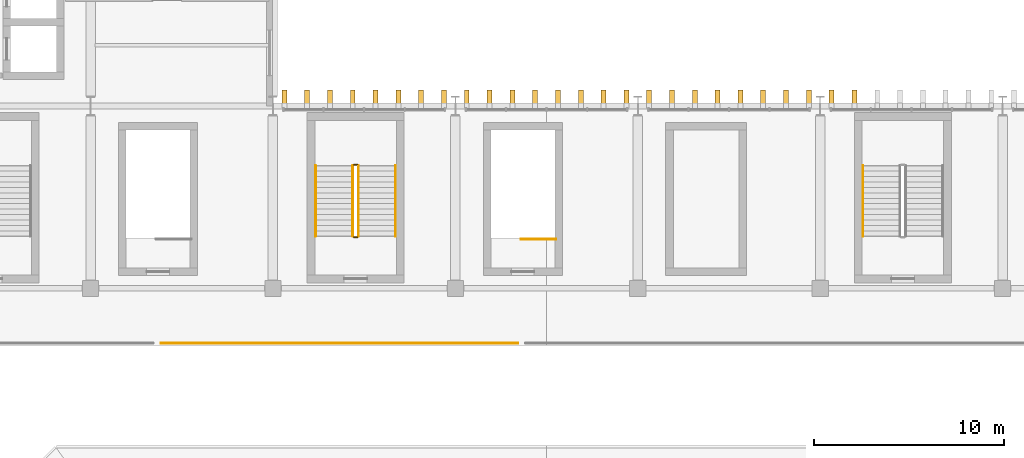
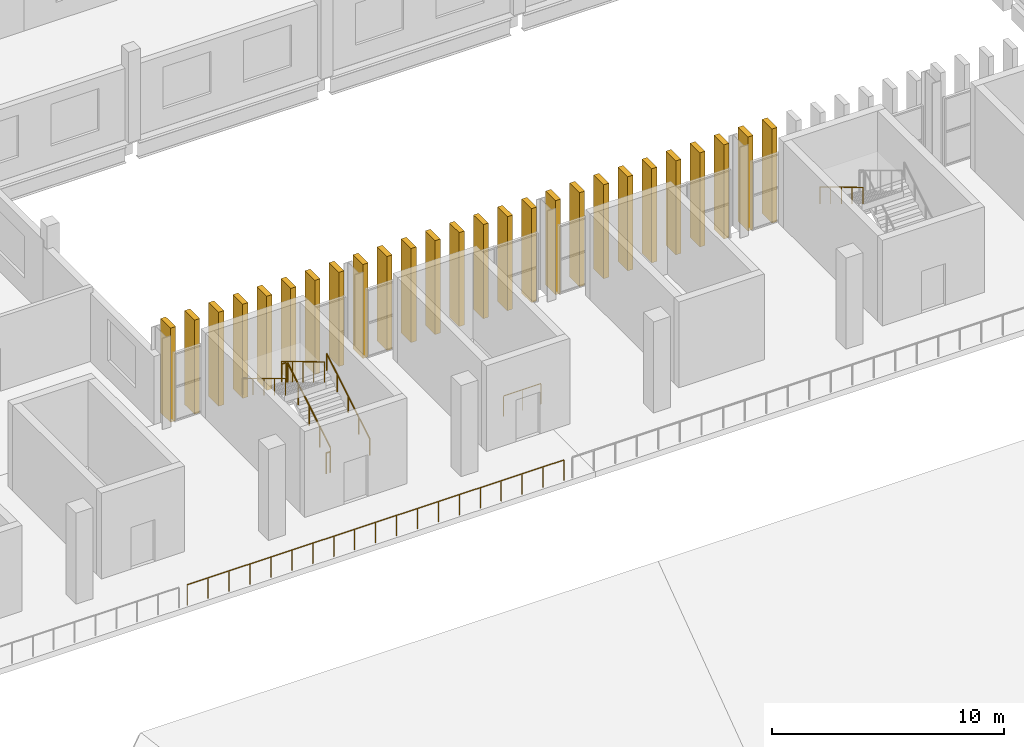
# One storey, part 89 of 99: 26 coverings, 9 railings.
"""IFC4 building model written with IfcOpenShell, lengths in metres."""

from ifc_helpers import new_model, si_unit, direction, frame, origin, origin_2d, place, context, subcontext, project, spatial, rectangle, circle, extrude, material, material_profile, profile_set, type_object, element, save


model = new_model("IFC4")

# Units and contexts
model_context = context("Model", 3, precision=1e-05, world=origin(), true_north=direction((0.0, 1.0)))
body_context = subcontext(model_context, "Body", "Model", "MODEL_VIEW")
ifc_project = project(units=[si_unit("LENGTHUNIT", "METRE"), si_unit("AREAUNIT", "SQUARE_METRE"), si_unit("VOLUMEUNIT", "CUBIC_METRE"), si_unit("PLANEANGLEUNIT", "RADIAN"), si_unit("MASSUNIT", "GRAM", prefix="KILO")], contexts=[model_context])

# Site, building, storey
site_placement = place(None, origin())
site = spatial("IfcSite", under=ifc_project, at=site_placement, CompositionType="ELEMENT")
building_placement = place(site_placement, origin())
building = spatial("IfcBuilding", under=site, at=building_placement, Name="Caelomonte Colonnade Arena", CompositionType="ELEMENT")
storey_placement = place(building_placement, frame((0.0, 0.0, 4.800048828125)))
storey = spatial("IfcBuildingStorey", under=building, at=storey_placement, Name="L01", CompositionType="ELEMENT", Elevation=4.800048828125)

# Coverings
ifc_material_1 = material(Name="Precast travertine cladding", Category="masonry")
ifc_material_profile = material_profile(ifc_material_1, rectangle(XDim=0.260009765625, YDim=0.85009765625, at=origin_2d()), Name="FIN260X850")
ifc_profile_set = profile_set([ifc_material_profile], Name="Precast travertine cladding")
covering_type = type_object("IfcCoveringType", Name="ENV-FN-SHAFT", PredefinedType="CLADDING", material=ifc_profile_set)
for number, where, z_axis, x_axis, name in (
    (1, (126.60009765625, 115.62109375, -0.16015625), (0.0, 0.0, 1.0), (1.0, 0.0, 0.0), "V1 L01 classical travertine vertical fin 106"),
    (2, (125.39990234375, 115.62109375, -0.16015625), (0.0, 0.0, 1.0), (1.0, 0.0, 0.0), "V1 L01 classical travertine vertical fin 107"),
    (3, (124.199951171875, 115.62109375, -0.16015625), (0.0, 0.0, 1.0), (1.0, 0.0, 0.0), "V1 L01 classical travertine vertical fin 108"),
    (4, (123.0, 115.62109375, -0.16015625), (0.0, 0.0, 1.0), (1.0, 0.0, 0.0), "V1 L01 classical travertine vertical fin 109"),
    (5, (121.800048828125, 115.62109375, -0.16015625), (0.0, 0.0, 1.0), (1.0, 0.0, 0.0), "V1 L01 classical travertine vertical fin 110"),
    (6, (120.60009765625, 115.62109375, -0.16015625), (0.0, 0.0, 1.0), (1.0, 0.0, 0.0), "V1 L01 classical travertine vertical fin 111"),
    (7, (119.39990234375, 115.62109375, -0.16015625), (0.0, 0.0, 1.0), (1.0, 0.0, 0.0), "V1 L01 classical travertine vertical fin 112"),
    (8, (118.199951171875, 115.62109375, -0.16015625), (0.0, 0.0, 1.0), (1.0, 0.0, 0.0), "V1 L01 classical travertine vertical fin 113"),
    (9, (117.0, 115.62109375, -0.16015625), (0.0, 0.0, 1.0), (1.0, 0.0, 0.0), "V1 L01 classical travertine vertical fin 114"),
    (10, (115.800048828125, 115.62109375, -0.16015625), (0.0, 0.0, 1.0), (1.0, 0.0, 0.0), "V1 L01 classical travertine vertical fin 115"),
    (11, (114.60009765625, 115.62109375, -0.16015625), (0.0, 0.0, 1.0), (1.0, 0.0, 0.0), "V1 L01 classical travertine vertical fin 116"),
    (12, (113.39990234375, 115.62109375, -0.16015625), (0.0, 0.0, 1.0), (1.0, 0.0, 0.0), "V1 L01 classical travertine vertical fin 117"),
    (13, (112.199951171875, 115.62109375, -0.16015625), (0.0, 0.0, 1.0), (1.0, 0.0, 0.0), "V1 L01 classical travertine vertical fin 118"),
    (14, (111.0, 115.62109375, -0.16015625), (0.0, 0.0, 1.0), (1.0, 0.0, 0.0), "V1 L01 classical travertine vertical fin 119"),
    (15, (109.800048828125, 115.62109375, -0.16015625), (0.0, 0.0, 1.0), (1.0, 0.0, 0.0), "V1 L01 classical travertine vertical fin 120"),
    (16, (108.60009765625, 115.62109375, -0.16015625), (0.0, 0.0, 1.0), (1.0, 0.0, 0.0), "V1 L01 classical travertine vertical fin 121"),
    (17, (107.39990234375, 115.62109375, -0.16015625), (0.0, 0.0, 1.0), (1.0, 0.0, 0.0), "V1 L01 classical travertine vertical fin 122"),
    (18, (106.199951171875, 115.62109375, -0.16015625), (0.0, 0.0, 1.0), (1.0, 0.0, 0.0), "V1 L01 classical travertine vertical fin 123"),
    (19, (105.0, 115.62109375, -0.16015625), (0.0, 0.0, 1.0), (1.0, 0.0, 0.0), "V1 L01 classical travertine vertical fin 124"),
    (20, (103.800048828125, 115.62109375, -0.16015625), (0.0, 0.0, 1.0), (1.0, 0.0, 0.0), "V1 L01 classical travertine vertical fin 125"),
    (21, (102.60009765625, 115.62109375, -0.16015625), (0.0, 0.0, 1.0), (1.0, 0.0, 0.0), "V1 L01 classical travertine vertical fin 126"),
    (22, (101.39990234375, 115.62109375, -0.16015625), (0.0, 0.0, 1.0), (1.0, 0.0, 0.0), "V1 L01 classical travertine vertical fin 127"),
    (23, (100.199951171875, 115.62109375, -0.16015625), (0.0, 0.0, 1.0), (1.0, 0.0, 0.0), "V1 L01 classical travertine vertical fin 128"),
    (24, (99.0, 115.62109375, -0.16015625), (0.0, 0.0, 1.0), (1.0, 0.0, 0.0), "V1 L01 classical travertine vertical fin 129"),
    (25, (97.800048828125, 115.62109375, -0.16015625), (0.0, 0.0, 1.0), (1.0, 0.0, 0.0), "V1 L01 classical travertine vertical fin 130"),
    (26, (96.60009765625, 115.62109375, -0.16015625), (0.0, 0.0, 1.0), (1.0, 0.0, 0.0), "V1 L01 classical travertine vertical fin 131"),
):
    element("IfcCovering", number, at=place(storey_placement, frame(where, z_axis=z_axis, x_axis=x_axis)), inside=storey, type_object=covering_type, Name=name, PredefinedType="CLADDING", context=body_context, shape_type="SweptSolid", body=[
        extrude(rectangle(XDim=0.260009765625, YDim=0.85009765625, at=origin_2d()), origin(), (0.0, 0.0, 1.0), 4.960205078125),
    ])

# Railings
ifc_material_2 = material(Name="Painted galvanized steel handrail and posts", Category="steel")
railing_type_1 = type_object("IfcRailingType", Name="ENV-RL-GRD1", PredefinedType="GUARDRAIL", material=ifc_material_2)
railing_1_placement = place(storey_placement, frame((108.89306640625, 102.719970703125, 0.0)))
element("IfcRailing", 27, at=railing_1_placement, inside=storey, type_object=railing_type_1, Name="L01 lower concourse bowl guard 2", PredefinedType="GUARDRAIL", context=body_context, shape_type="SweptSolid", body=[
    extrude(circle(Radius=0.02392578125, at=origin_2d()), frame((0.0, 0.0, 1.076171875), z_axis=(-1.0, 0.0, 0.0), x_axis=(0.0, -1.0, 0.0)), (0.0, 0.0, 1.0), 18.7861328125),
    extrude(circle(Radius=0.02099609375, at=origin_2d()), origin(), (0.0, 0.0, 1.0), 1.048095703125),
    extrude(circle(Radius=0.02099609375, at=origin_2d()), frame((-1.043701171875, 0.0, 0.0)), (0.0, 0.0, 1.0), 1.048095703125),
    extrude(circle(Radius=0.02099609375, at=origin_2d()), frame((-2.08740234375, 0.0, 0.0)), (0.0, 0.0, 1.0), 1.048095703125),
    extrude(circle(Radius=0.02099609375, at=origin_2d()), frame((-3.131103515625, 0.0, 0.0)), (0.0, 0.0, 1.0), 1.048095703125),
    extrude(circle(Radius=0.02099609375, at=origin_2d()), frame((-4.1748046875, 0.0, 0.0)), (0.0, 0.0, 1.0), 1.048095703125),
    extrude(circle(Radius=0.02099609375, at=origin_2d()), frame((-5.21826171875, 0.0, 0.0)), (0.0, 0.0, 1.0), 1.048095703125),
    extrude(circle(Radius=0.02099609375, at=origin_2d()), frame((-6.261962890625, 0.0, 0.0)), (0.0, 0.0, 1.0), 1.048095703125),
    extrude(circle(Radius=0.02099609375, at=origin_2d()), frame((-7.3056640625, 0.0, 0.0)), (0.0, 0.0, 1.0), 1.048095703125),
    extrude(circle(Radius=0.02099609375, at=origin_2d()), frame((-8.349365234375, 0.0, 0.0)), (0.0, 0.0, 1.0), 1.048095703125),
    extrude(circle(Radius=0.02099609375, at=origin_2d()), frame((-9.39306640625, 0.0, 0.0)), (0.0, 0.0, 1.0), 1.048095703125),
    extrude(circle(Radius=0.02099609375, at=origin_2d()), frame((-10.436767578125, 0.0, 0.0)), (0.0, 0.0, 1.0), 1.048095703125),
    extrude(circle(Radius=0.02099609375, at=origin_2d()), frame((-11.48046875, 0.0, 0.0)), (0.0, 0.0, 1.0), 1.048095703125),
    extrude(circle(Radius=0.02099609375, at=origin_2d()), frame((-12.524169921875, 0.0, 0.0)), (0.0, 0.0, 1.0), 1.048095703125),
    extrude(circle(Radius=0.02099609375, at=origin_2d()), frame((-13.56787109375, 0.0, 0.0)), (0.0, 0.0, 1.0), 1.048095703125),
    extrude(circle(Radius=0.02099609375, at=origin_2d()), frame((-14.611328125, 0.0, 0.0)), (0.0, 0.0, 1.0), 1.048095703125),
    extrude(circle(Radius=0.02099609375, at=origin_2d()), frame((-15.655029296875, 0.0, 0.0)), (0.0, 0.0, 1.0), 1.048095703125),
    extrude(circle(Radius=0.02099609375, at=origin_2d()), frame((-16.69873046875, 0.0, 0.0)), (0.0, 0.0, 1.0), 1.048095703125),
    extrude(circle(Radius=0.02099609375, at=origin_2d()), frame((-17.742431640625, 0.0, 0.0)), (0.0, 0.0, 1.0), 1.048095703125),
    extrude(circle(Radius=0.02099609375, at=origin_2d()), frame((-18.7861328125, 0.0, 0.0)), (0.0, 0.0, 1.0), 1.048095703125),
])
ifc_material_3 = material(Name="Painted galvanized steel stair guard", Category="steel")
railing_type_2 = type_object("IfcRailingType", Name="INT-RL-GRD", PredefinedType="GUARDRAIL", material=ifc_material_3)
railing_2_placement = place(storey_placement, frame((100.5, 108.35009765625, 0.17138671875)))
element("IfcRailing", 28, at=railing_2_placement, inside=storey, type_object=railing_type_2, Name="L01 ST-15 stair guard 1", PredefinedType="GUARDRAIL", context=body_context, shape_type="SweptSolid", body=[
    extrude(circle(Radius=0.02392578125, at=origin_2d()), frame((0.0, 0.0, 1.076171875), z_axis=(0.0, 0.856919398105, 0.515450429384), x_axis=(-1.0, 0.0, 0.0)), (0.0, 0.0, 1.0), 4.323486328125),
    extrude(circle(Radius=0.02099609375, at=origin_2d()), origin(), (0.0, 0.0, 1.0), 1.048095703125),
    extrude(circle(Radius=0.02099609375, at=origin_2d()), frame((0.0, 0.92626953125, 0.55712890625)), (0.0, 0.0, 1.0), 1.048095703125),
    extrude(circle(Radius=0.02099609375, at=origin_2d()), frame((0.0, 1.8525390625, 1.1142578125)), (0.0, 0.0, 1.0), 1.048095703125),
    extrude(circle(Radius=0.02099609375, at=origin_2d()), frame((0.0, 2.778564453125, 1.67138671875)), (0.0, 0.0, 1.0), 1.048095703125),
    extrude(circle(Radius=0.02099609375, at=origin_2d()), frame((0.0, 3.704833984375, 2.228515625)), (0.0, 0.0, 1.0), 1.048095703125),
])
railing_3_placement = place(storey_placement, frame((100.449951171875, 112.10498046875, 2.39990234375)))
element("IfcRailing", 29, at=railing_3_placement, inside=storey, type_object=railing_type_2, Name="L01 ST-15 stair guard 2", PredefinedType="GUARDRAIL", context=body_context, shape_type="SweptSolid", body=[
    extrude(circle(Radius=0.02392578125, at=origin_2d()), frame((0.0, 0.0, 1.076171875), z_axis=(-1.0, 0.0, 0.0), x_axis=(0.0, -1.0, 0.0)), (0.0, 0.0, 1.0), 0.199951171875),
    extrude(circle(Radius=0.02099609375, at=origin_2d()), origin(), (0.0, 0.0, 1.0), 1.048095703125),
    extrude(circle(Radius=0.02099609375, at=origin_2d()), frame((-0.199951171875, 0.0, 0.0)), (0.0, 0.0, 1.0), 1.048095703125),
])
railing_4_placement = place(storey_placement, frame((100.199951171875, 112.054931640625, 2.5712890625)))
element("IfcRailing", 30, at=railing_4_placement, inside=storey, type_object=railing_type_2, Name="L01 ST-15 stair guard 3", PredefinedType="GUARDRAIL", context=body_context, shape_type="SweptSolid", body=[
    extrude(circle(Radius=0.02392578125, at=origin_2d()), frame((0.0, 0.0, 1.076171875), z_axis=(0.0, -0.856894455432, 0.515491893485), x_axis=(1.0, 0.0, 0.0)), (0.0, 0.0, 1.0), 4.323486328125),
    extrude(circle(Radius=0.02099609375, at=origin_2d()), origin(), (0.0, 0.0, 1.0), 1.048095703125),
    extrude(circle(Radius=0.02099609375, at=origin_2d()), frame((0.0, -0.92626953125, 0.55712890625)), (0.0, 0.0, 1.0), 1.048095703125),
    extrude(circle(Radius=0.02099609375, at=origin_2d()), frame((0.0, -1.8525390625, 1.1142578125)), (0.0, 0.0, 1.0), 1.048095703125),
    extrude(circle(Radius=0.02099609375, at=origin_2d()), frame((0.0, -2.778564453125, 1.671630859375)), (0.0, 0.0, 1.0), 1.048095703125),
    extrude(circle(Radius=0.02099609375, at=origin_2d()), frame((0.0, -3.704833984375, 2.228759765625)), (0.0, 0.0, 1.0), 1.048095703125),
])
railing_5_placement = place(storey_placement, frame((100.449951171875, 108.300048828125, 0.0)))
element("IfcRailing", 31, at=railing_5_placement, inside=storey, type_object=railing_type_2, Name="L01 ST-15 stair guard 4", PredefinedType="GUARDRAIL", context=body_context, shape_type="SweptSolid", body=[
    extrude(circle(Radius=0.02392578125, at=origin_2d()), frame((0.0, 0.0, 1.076171875), z_axis=(-1.0, 0.0, 0.0), x_axis=(0.0, -1.0, 0.0)), (0.0, 0.0, 1.0), 0.199951171875),
    extrude(circle(Radius=0.02099609375, at=origin_2d()), origin(), (0.0, 0.0, 1.0), 1.048095703125),
    extrude(circle(Radius=0.02099609375, at=origin_2d()), frame((-0.199951171875, 0.0, 0.0)), (0.0, 0.0, 1.0), 1.048095703125),
])
railing_6_placement = place(storey_placement, frame((110.89990234375, 108.199951171875, 0.0)))
element("IfcRailing", 32, at=railing_6_placement, inside=storey, type_object=railing_type_2, Name="L01 ST-V06 top well guard 1", PredefinedType="GUARDRAIL", context=body_context, shape_type="SweptSolid", body=[
    extrude(circle(Radius=0.02392578125, at=origin_2d()), frame((0.0, 0.0, 1.076171875), z_axis=(-1.0, 0.0, 0.0), x_axis=(0.0, -1.0, 0.0)), (0.0, 0.0, 1.0), 1.849853515625),
    extrude(circle(Radius=0.02099609375, at=origin_2d()), origin(), (0.0, 0.0, 1.0), 1.048095703125),
    extrude(circle(Radius=0.02099609375, at=origin_2d()), frame((-0.9248046875, 0.0, 0.0)), (0.0, 0.0, 1.0), 1.048095703125),
    extrude(circle(Radius=0.02099609375, at=origin_2d()), frame((-1.849853515625, 0.0, 0.0)), (0.0, 0.0, 1.0), 1.048095703125),
])
ifc_material_4 = material(Name="Brushed stainless steel stair handrail", Category="steel")
railing_type_3 = type_object("IfcRailingType", Name="INT-RL-HR", PredefinedType="HANDRAIL", material=ifc_material_4)
railing_7_placement = place(storey_placement, frame((102.449951171875, 108.35009765625, 0.17138671875)))
element("IfcRailing", 33, at=railing_7_placement, inside=storey, type_object=railing_type_3, Name="L01 ST-15 stair handrail 1", PredefinedType="HANDRAIL", context=body_context, shape_type="SweptSolid", body=[
    extrude(circle(Radius=0.02392578125, at=origin_2d()), frame((0.0, 0.0, 0.8759765625), z_axis=(0.0, 0.856919398105, 0.515450429384), x_axis=(-1.0, 0.0, 0.0)), (0.0, 0.0, 1.0), 4.323486328125),
    extrude(circle(Radius=0.02099609375, at=origin_2d()), origin(), (0.0, 0.0, 1.0), 0.847900390625),
    extrude(circle(Radius=0.02099609375, at=origin_2d()), frame((0.0, 0.92626953125, 0.55712890625)), (0.0, 0.0, 1.0), 0.847900390625),
    extrude(circle(Radius=0.02099609375, at=origin_2d()), frame((0.0, 1.8525390625, 1.1142578125)), (0.0, 0.0, 1.0), 0.847900390625),
    extrude(circle(Radius=0.02099609375, at=origin_2d()), frame((0.0, 2.778564453125, 1.67138671875)), (0.0, 0.0, 1.0), 0.847900390625),
    extrude(circle(Radius=0.02099609375, at=origin_2d()), frame((0.0, 3.704833984375, 2.228515625)), (0.0, 0.0, 1.0), 0.847900390625),
])
for number, where, name in (
    (34, (98.25, 112.054931640625, 2.5712890625), "L01 ST-15 stair handrail 2"),
    (35, (127.050048828125, 112.054931640625, 2.5712890625), "L01 ST-16 stair handrail 2"),
):
    element("IfcRailing", number, at=place(storey_placement, frame(where)), inside=storey, type_object=railing_type_3, Name=name, PredefinedType="HANDRAIL", context=body_context, shape_type="SweptSolid", body=[
        extrude(circle(Radius=0.02392578125, at=origin_2d()), frame((0.0, 0.0, 0.8759765625), z_axis=(0.0, -0.856894455432, 0.515491893485), x_axis=(1.0, 0.0, 0.0)), (0.0, 0.0, 1.0), 4.323486328125),
        extrude(circle(Radius=0.02099609375, at=origin_2d()), origin(), (0.0, 0.0, 1.0), 0.847900390625),
        extrude(circle(Radius=0.02099609375, at=origin_2d()), frame((0.0, -0.92626953125, 0.55712890625)), (0.0, 0.0, 1.0), 0.847900390625),
        extrude(circle(Radius=0.02099609375, at=origin_2d()), frame((0.0, -1.8525390625, 1.1142578125)), (0.0, 0.0, 1.0), 0.847900390625),
        extrude(circle(Radius=0.02099609375, at=origin_2d()), frame((0.0, -2.778564453125, 1.671630859375)), (0.0, 0.0, 1.0), 0.847900390625),
        extrude(circle(Radius=0.02099609375, at=origin_2d()), frame((0.0, -3.704833984375, 2.228759765625)), (0.0, 0.0, 1.0), 0.847900390625),
    ])

save(model, "model.ifc")
